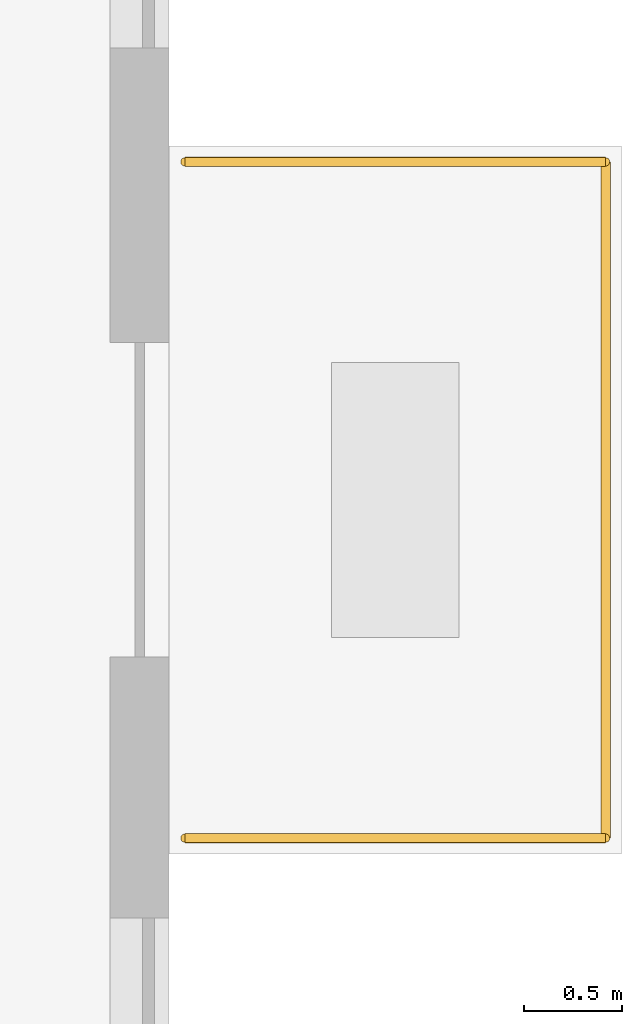
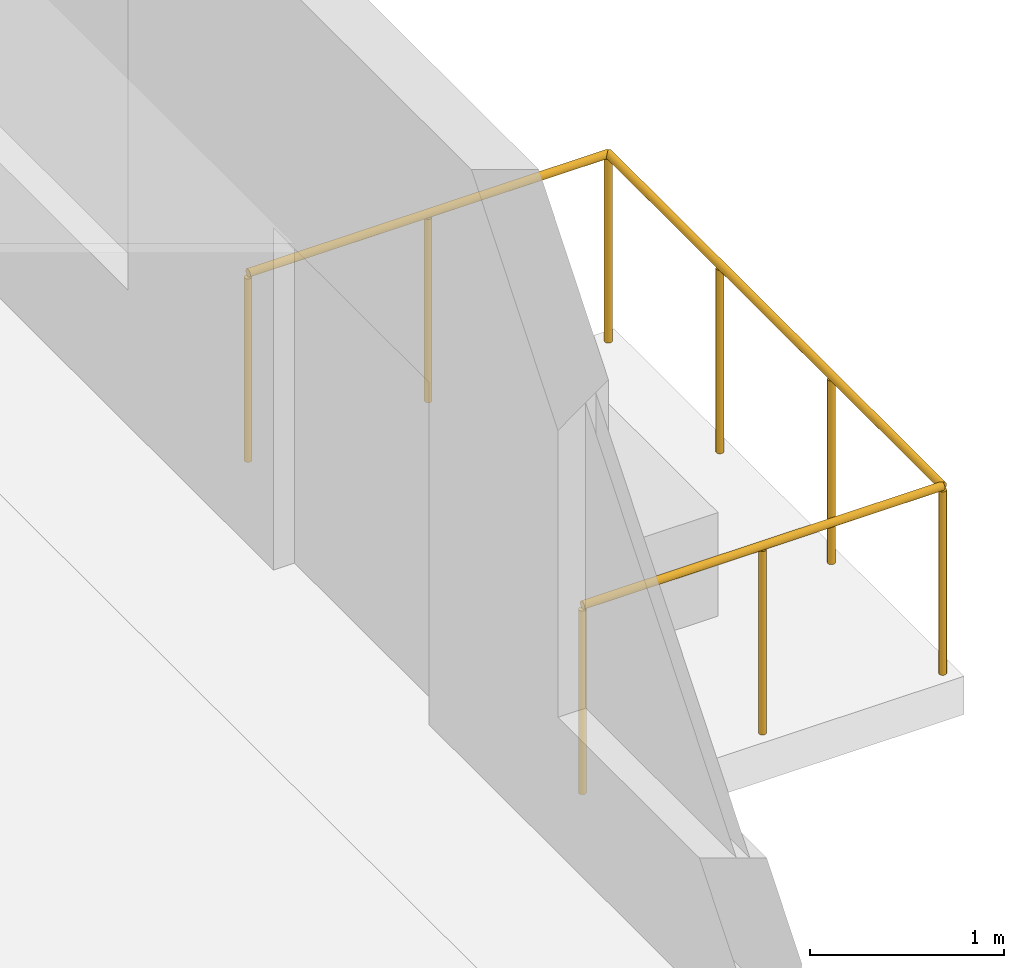
# One storey, part 11 of 11: 3 railings.
"""IFC4 building model written with IfcOpenShell, lengths in metres."""

from ifc_helpers import new_model, si_unit, direction, frame, origin, origin_2d, place, context, subcontext, project, spatial, circle, extrude, material, type_object, element, save


model = new_model("IFC4")

# Units and contexts
model_context = context("Model", 3, precision=1e-05, world=origin(), true_north=direction((0.0, 1.0)))
body_context = subcontext(model_context, "Body", "Model", "MODEL_VIEW")
ifc_project = project(units=[si_unit("LENGTHUNIT", "METRE"), si_unit("AREAUNIT", "SQUARE_METRE"), si_unit("VOLUMEUNIT", "CUBIC_METRE"), si_unit("PLANEANGLEUNIT", "RADIAN"), si_unit("MASSUNIT", "GRAM", prefix="KILO")], contexts=[model_context])

# Site, building, storey
site_placement = place(None, origin())
site = spatial("IfcSite", under=ifc_project, at=site_placement, CompositionType="ELEMENT")
building_placement = place(site_placement, origin())
building = spatial("IfcBuilding", under=site, at=building_placement, Name="Calvemar Wedge Station Tower", CompositionType="ELEMENT")
storey_placement = place(building_placement, frame((0.0, 0.0, 31.0)))
storey = spatial("IfcBuildingStorey", under=building, at=storey_placement, Name="L07", CompositionType="ELEMENT", Elevation=31.0)

# Railings
ifc_material = material(Name="Stainless steel AISI 316L", Category="steel")
railing_type = type_object("IfcRailingType", Name="GRD-TERR-1200", PredefinedType="GUARDRAIL", material=ifc_material)
railing_1_placement = place(storey_placement, frame((61.080078125, 40.330078125, 0.0)))
element("IfcRailing", 1, at=railing_1_placement, inside=storey, type_object=railing_type, Name="Storey L07 Spiral Terrace Guard 2", PredefinedType="GUARDRAIL", context=body_context, shape_type="SweptSolid", body=[
    extrude(circle(Radius=0.02392578125, at=origin_2d()), frame((0.0, 0.0, 1.17578125), z_axis=(1.0, 0.0, 0.0), x_axis=(0.0, 1.0, 0.0)), (0.0, 0.0, 1.0), 2.139892578125),
    extrude(circle(Radius=0.02099609375, at=origin_2d()), origin(), (0.0, 0.0, 1.0), 1.15185546875),
    extrude(circle(Radius=0.02099609375, at=origin_2d()), frame((1.06982421875, 0.0, 0.0)), (0.0, 0.0, 1.0), 1.15185546875),
    extrude(circle(Radius=0.02099609375, at=origin_2d()), frame((2.139892578125, 0.0, 0.0)), (0.0, 0.0, 1.0), 1.15185546875),
])
railing_2_placement = place(storey_placement, frame((63.219970703125, 40.330078125, 0.0)))
element("IfcRailing", 2, at=railing_2_placement, inside=storey, type_object=railing_type, Name="Storey L07 Spiral Terrace Guard 3", PredefinedType="GUARDRAIL", context=body_context, shape_type="SweptSolid", body=[
    extrude(circle(Radius=0.02392578125, at=origin_2d()), frame((0.0, 0.0, 1.17578125), z_axis=(0.0, -1.0, 0.0), x_axis=(1.0, 0.0, 0.0)), (0.0, 0.0, 1.0), 3.440185546875),
    extrude(circle(Radius=0.02099609375, at=origin_2d()), origin(), (0.0, 0.0, 1.0), 1.15185546875),
    extrude(circle(Radius=0.02099609375, at=origin_2d()), frame((0.0, -1.146728515625, 0.0)), (0.0, 0.0, 1.0), 1.15185546875),
    extrude(circle(Radius=0.02099609375, at=origin_2d()), frame((0.0, -2.29345703125, 0.0)), (0.0, 0.0, 1.0), 1.15185546875),
    extrude(circle(Radius=0.02099609375, at=origin_2d()), frame((0.0, -3.440185546875, 0.0)), (0.0, 0.0, 1.0), 1.15185546875),
])
railing_3_placement = place(storey_placement, frame((63.219970703125, 36.889892578125, 0.0)))
element("IfcRailing", 3, at=railing_3_placement, inside=storey, type_object=railing_type, Name="Storey L07 Spiral Terrace Guard 4", PredefinedType="GUARDRAIL", context=body_context, shape_type="SweptSolid", body=[
    extrude(circle(Radius=0.02392578125, at=origin_2d()), frame((0.0, 0.0, 1.17578125), z_axis=(-1.0, 0.0, 0.0), x_axis=(0.0, -1.0, 0.0)), (0.0, 0.0, 1.0), 2.139892578125),
    extrude(circle(Radius=0.02099609375, at=origin_2d()), origin(), (0.0, 0.0, 1.0), 1.15185546875),
    extrude(circle(Radius=0.02099609375, at=origin_2d()), frame((-1.06982421875, 0.0, 0.0)), (0.0, 0.0, 1.0), 1.15185546875),
    extrude(circle(Radius=0.02099609375, at=origin_2d()), frame((-2.139892578125, 0.0, 0.0)), (0.0, 0.0, 1.0), 1.15185546875),
])

save(model, "model.ifc")
